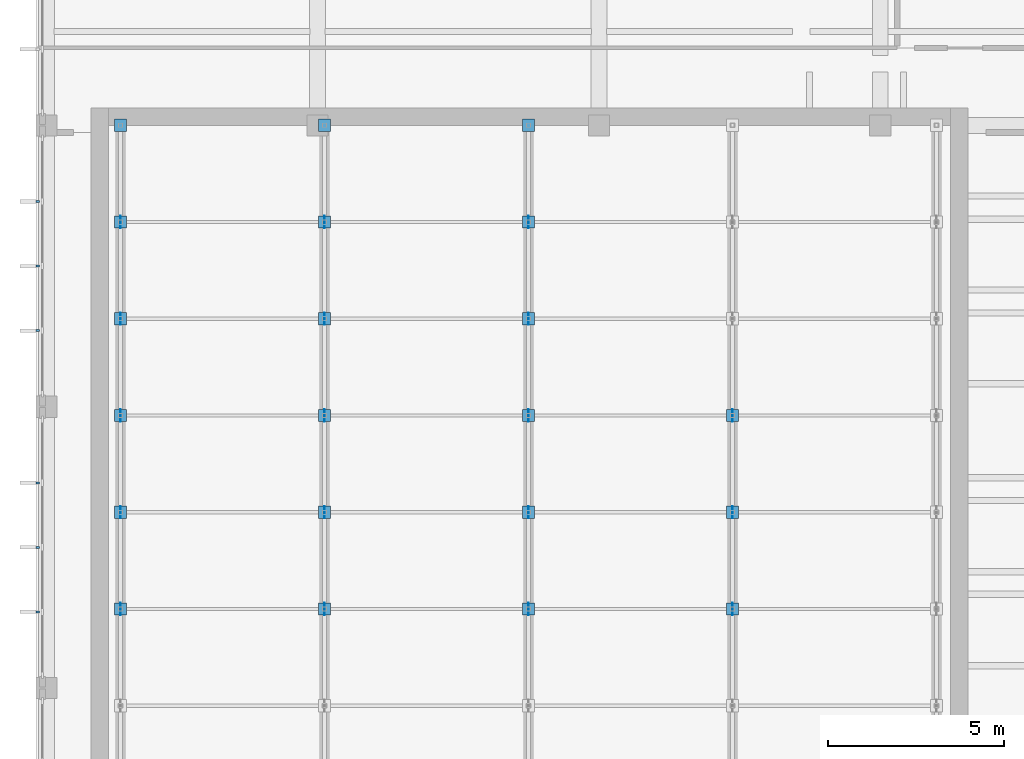
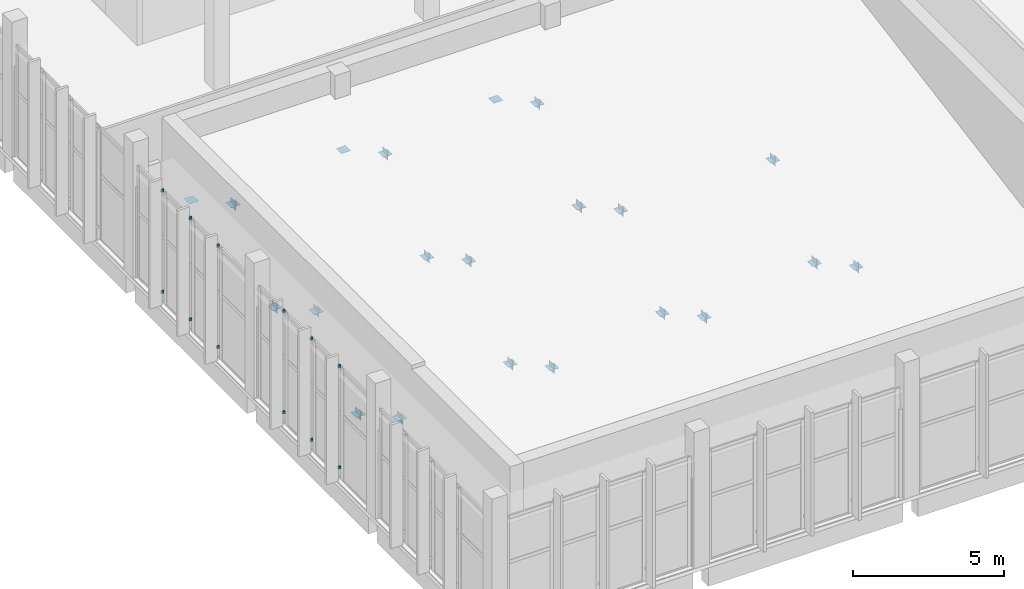
# One storey, part 88 of 132: 51 discrete accessories.
"""IFC4 building model written with IfcOpenShell, lengths in metres."""

from ifc_helpers import new_model, si_unit, direction, frame, origin, origin_2d, place, context, subcontext, project, spatial, rectangle, extrude, material, layer, layer_set, type_object, element, save


model = new_model("IFC4")

# Units and contexts
model_context = context("Model", 3, precision=1e-05, world=origin(), true_north=direction((0.0, 1.0)))
body_context = subcontext(model_context, "Body", "Model", "MODEL_VIEW")
ifc_project = project(units=[si_unit("LENGTHUNIT", "METRE"), si_unit("AREAUNIT", "SQUARE_METRE"), si_unit("VOLUMEUNIT", "CUBIC_METRE"), si_unit("PLANEANGLEUNIT", "RADIAN"), si_unit("MASSUNIT", "GRAM", prefix="KILO")], contexts=[model_context])

# Site, building, storey
site_placement = place(None, origin())
site = spatial("IfcSite", under=ifc_project, at=site_placement, CompositionType="ELEMENT")
building_placement = place(site_placement, origin())
building = spatial("IfcBuilding", under=site, at=building_placement, Name="Lunette Opera House", CompositionType="ELEMENT")
storey_placement = place(building_placement, frame((0.0, 0.0, 17.0)))
storey = spatial("IfcBuildingStorey", under=building, at=storey_placement, Name="L03", CompositionType="ELEMENT", Elevation=17.0)

# Discrete accessories
ifc_material_1 = material(Name="Steel S355", Category="steel")
ifc_layer = layer(ifc_material_1, 0.011962890625)
ifc_layer_set = layer_set([ifc_layer], Name="Steel S355")
discrete_accessory_type_1 = type_object("IfcDiscreteAccessoryType", Name="BRACE GUSSET PLATE 12", PredefinedType="USERDEFINED", material=ifc_layer_set)
discrete_accessory_1_placement = place(storey_placement, frame((10.39990234375, 74.25, 1.574951171875), z_axis=(0.0, 0.0, 1.0), x_axis=(0.0, 1.0, 0.0)))
element("IfcDiscreteAccessory", 1, at=discrete_accessory_1_placement, inside=storey, type_object=discrete_accessory_type_1, Name="Gusset plate 192", ObjectType="GUSSET PLATE", PredefinedType="USERDEFINED", context=body_context, shape_type="SweptSolid", body=[
    extrude(rectangle(XDim=0.35009765625, YDim=0.011962890625, at=origin_2d()), origin(), (0.0, 0.0, 1.0), 0.35009765625),
])
for number, where, z_axis, x_axis, name in (
    (2, (10.39990234375, 74.25, 1.744140625), (0.0, 0.0, 1.0), (0.0, 1.0, 0.0), "Gusset plate 193"),
    (3, (10.39990234375, 77.0, 0.22900390625), (0.0, 0.0, 1.0), (0.0, 1.0, 0.0), "Gusset plate 194"),
):
    element("IfcDiscreteAccessory", number, at=place(storey_placement, frame(where, z_axis=z_axis, x_axis=x_axis)), inside=storey, type_object=discrete_accessory_type_1, Name=name, ObjectType="GUSSET PLATE", PredefinedType="USERDEFINED", context=body_context, shape_type="SweptSolid", body=[
        extrude(rectangle(XDim=0.35009765625, YDim=0.35009765625, at=origin_2d()), origin(), (0.0, 0.0, 1.0), 0.011962890625),
    ])
for number, where, z_axis, x_axis, name in (
    (4, (10.39990234375, 77.0, 0.06005859375), (0.0, 0.0, 1.0), (0.0, 1.0, 0.0), "Gusset plate 195"),
    (5, (10.39990234375, 79.75, 2.5439453125), (0.0, 0.0, 1.0), (0.0, 1.0, 0.0), "Gusset plate 196"),
):
    element("IfcDiscreteAccessory", number, at=place(storey_placement, frame(where, z_axis=z_axis, x_axis=x_axis)), inside=storey, type_object=discrete_accessory_type_1, Name=name, ObjectType="GUSSET PLATE", PredefinedType="USERDEFINED", context=body_context, shape_type="SweptSolid", body=[
        extrude(rectangle(XDim=0.35009765625, YDim=0.011962890625, at=origin_2d()), origin(), (0.0, 0.0, 1.0), 0.35009765625),
    ])
for number, where, z_axis, x_axis, name in (
    (6, (10.39990234375, 79.75, 2.712890625), (0.0, 0.0, 1.0), (0.0, 1.0, 0.0), "Gusset plate 197"),
    (7, (10.39990234375, 82.5, 1.1982421875), (0.0, 0.0, 1.0), (0.0, 1.0, 0.0), "Gusset plate 198"),
):
    element("IfcDiscreteAccessory", number, at=place(storey_placement, frame(where, z_axis=z_axis, x_axis=x_axis)), inside=storey, type_object=discrete_accessory_type_1, Name=name, ObjectType="GUSSET PLATE", PredefinedType="USERDEFINED", context=body_context, shape_type="SweptSolid", body=[
        extrude(rectangle(XDim=0.35009765625, YDim=0.35009765625, at=origin_2d()), origin(), (0.0, 0.0, 1.0), 0.011962890625),
    ])
for number, where, z_axis, x_axis, name in (
    (8, (10.39990234375, 82.5, 1.029052734375), (0.0, 0.0, 1.0), (0.0, 1.0, 0.0), "Gusset plate 199"),
    (9, (10.39990234375, 85.25, 3.513916015625), (0.0, 0.0, 1.0), (0.0, 1.0, 0.0), "Gusset plate 200"),
):
    element("IfcDiscreteAccessory", number, at=place(storey_placement, frame(where, z_axis=z_axis, x_axis=x_axis)), inside=storey, type_object=discrete_accessory_type_1, Name=name, ObjectType="GUSSET PLATE", PredefinedType="USERDEFINED", context=body_context, shape_type="SweptSolid", body=[
        extrude(rectangle(XDim=0.35009765625, YDim=0.011962890625, at=origin_2d()), origin(), (0.0, 0.0, 1.0), 0.35009765625),
    ])
for number, where, z_axis, x_axis, name in (
    (10, (10.39990234375, 85.25, 3.68310546875), (0.0, 0.0, 1.0), (0.0, 1.0, 0.0), "Gusset plate 201"),
    (11, (10.39990234375, 88.0, 2.16796875), (0.0, 0.0, 1.0), (0.0, 1.0, 0.0), "Gusset plate 202"),
):
    element("IfcDiscreteAccessory", number, at=place(storey_placement, frame(where, z_axis=z_axis, x_axis=x_axis)), inside=storey, type_object=discrete_accessory_type_1, Name=name, ObjectType="GUSSET PLATE", PredefinedType="USERDEFINED", context=body_context, shape_type="SweptSolid", body=[
        extrude(rectangle(XDim=0.35009765625, YDim=0.35009765625, at=origin_2d()), origin(), (0.0, 0.0, 1.0), 0.011962890625),
    ])
discrete_accessory_2_placement = place(storey_placement, frame((16.199951171875, 74.25, 1.574951171875), z_axis=(0.0, 0.0, 1.0), x_axis=(0.0, 1.0, 0.0)))
element("IfcDiscreteAccessory", 12, at=discrete_accessory_2_placement, inside=storey, type_object=discrete_accessory_type_1, Name="Gusset plate 208", ObjectType="GUSSET PLATE", PredefinedType="USERDEFINED", context=body_context, shape_type="SweptSolid", body=[
    extrude(rectangle(XDim=0.35009765625, YDim=0.011962890625, at=origin_2d()), origin(), (0.0, 0.0, 1.0), 0.35009765625),
])
for number, where, z_axis, x_axis, name in (
    (13, (16.199951171875, 74.25, 1.744140625), (0.0, 0.0, 1.0), (0.0, 1.0, 0.0), "Gusset plate 209"),
    (14, (16.199951171875, 77.0, 0.22900390625), (0.0, 0.0, 1.0), (0.0, 1.0, 0.0), "Gusset plate 210"),
):
    element("IfcDiscreteAccessory", number, at=place(storey_placement, frame(where, z_axis=z_axis, x_axis=x_axis)), inside=storey, type_object=discrete_accessory_type_1, Name=name, ObjectType="GUSSET PLATE", PredefinedType="USERDEFINED", context=body_context, shape_type="SweptSolid", body=[
        extrude(rectangle(XDim=0.35009765625, YDim=0.35009765625, at=origin_2d()), origin(), (0.0, 0.0, 1.0), 0.011962890625),
    ])
for number, where, z_axis, x_axis, name in (
    (15, (16.199951171875, 77.0, 0.06005859375), (0.0, 0.0, 1.0), (0.0, 1.0, 0.0), "Gusset plate 211"),
    (16, (16.199951171875, 79.75, 2.5439453125), (0.0, 0.0, 1.0), (0.0, 1.0, 0.0), "Gusset plate 212"),
):
    element("IfcDiscreteAccessory", number, at=place(storey_placement, frame(where, z_axis=z_axis, x_axis=x_axis)), inside=storey, type_object=discrete_accessory_type_1, Name=name, ObjectType="GUSSET PLATE", PredefinedType="USERDEFINED", context=body_context, shape_type="SweptSolid", body=[
        extrude(rectangle(XDim=0.35009765625, YDim=0.011962890625, at=origin_2d()), origin(), (0.0, 0.0, 1.0), 0.35009765625),
    ])
for number, where, z_axis, x_axis, name in (
    (17, (16.199951171875, 79.75, 2.712890625), (0.0, 0.0, 1.0), (0.0, 1.0, 0.0), "Gusset plate 213"),
    (18, (16.199951171875, 82.5, 1.1982421875), (0.0, 0.0, 1.0), (0.0, 1.0, 0.0), "Gusset plate 214"),
):
    element("IfcDiscreteAccessory", number, at=place(storey_placement, frame(where, z_axis=z_axis, x_axis=x_axis)), inside=storey, type_object=discrete_accessory_type_1, Name=name, ObjectType="GUSSET PLATE", PredefinedType="USERDEFINED", context=body_context, shape_type="SweptSolid", body=[
        extrude(rectangle(XDim=0.35009765625, YDim=0.35009765625, at=origin_2d()), origin(), (0.0, 0.0, 1.0), 0.011962890625),
    ])
for number, where, z_axis, x_axis, name in (
    (19, (16.199951171875, 82.5, 1.029052734375), (0.0, 0.0, 1.0), (0.0, 1.0, 0.0), "Gusset plate 215"),
    (20, (16.199951171875, 85.25, 3.513916015625), (0.0, 0.0, 1.0), (0.0, 1.0, 0.0), "Gusset plate 216"),
):
    element("IfcDiscreteAccessory", number, at=place(storey_placement, frame(where, z_axis=z_axis, x_axis=x_axis)), inside=storey, type_object=discrete_accessory_type_1, Name=name, ObjectType="GUSSET PLATE", PredefinedType="USERDEFINED", context=body_context, shape_type="SweptSolid", body=[
        extrude(rectangle(XDim=0.35009765625, YDim=0.011962890625, at=origin_2d()), origin(), (0.0, 0.0, 1.0), 0.35009765625),
    ])
for number, where, z_axis, x_axis, name in (
    (21, (16.199951171875, 85.25, 3.68310546875), (0.0, 0.0, 1.0), (0.0, 1.0, 0.0), "Gusset plate 217"),
    (22, (16.199951171875, 88.0, 2.16796875), (0.0, 0.0, 1.0), (0.0, 1.0, 0.0), "Gusset plate 218"),
):
    element("IfcDiscreteAccessory", number, at=place(storey_placement, frame(where, z_axis=z_axis, x_axis=x_axis)), inside=storey, type_object=discrete_accessory_type_1, Name=name, ObjectType="GUSSET PLATE", PredefinedType="USERDEFINED", context=body_context, shape_type="SweptSolid", body=[
        extrude(rectangle(XDim=0.35009765625, YDim=0.35009765625, at=origin_2d()), origin(), (0.0, 0.0, 1.0), 0.011962890625),
    ])
discrete_accessory_3_placement = place(storey_placement, frame((22.0, 74.25, 1.574951171875), z_axis=(0.0, 0.0, 1.0), x_axis=(0.0, 1.0, 0.0)))
element("IfcDiscreteAccessory", 23, at=discrete_accessory_3_placement, inside=storey, type_object=discrete_accessory_type_1, Name="Gusset plate 224", ObjectType="GUSSET PLATE", PredefinedType="USERDEFINED", context=body_context, shape_type="SweptSolid", body=[
    extrude(rectangle(XDim=0.35009765625, YDim=0.011962890625, at=origin_2d()), origin(), (0.0, 0.0, 1.0), 0.35009765625),
])
for number, where, z_axis, x_axis, name in (
    (24, (22.0, 74.25, 1.744140625), (0.0, 0.0, 1.0), (0.0, 1.0, 0.0), "Gusset plate 225"),
    (25, (22.0, 77.0, 0.22900390625), (0.0, 0.0, 1.0), (0.0, 1.0, 0.0), "Gusset plate 226"),
):
    element("IfcDiscreteAccessory", number, at=place(storey_placement, frame(where, z_axis=z_axis, x_axis=x_axis)), inside=storey, type_object=discrete_accessory_type_1, Name=name, ObjectType="GUSSET PLATE", PredefinedType="USERDEFINED", context=body_context, shape_type="SweptSolid", body=[
        extrude(rectangle(XDim=0.35009765625, YDim=0.35009765625, at=origin_2d()), origin(), (0.0, 0.0, 1.0), 0.011962890625),
    ])
for number, where, z_axis, x_axis, name in (
    (26, (22.0, 77.0, 0.06005859375), (0.0, 0.0, 1.0), (0.0, 1.0, 0.0), "Gusset plate 227"),
    (27, (22.0, 79.75, 2.5439453125), (0.0, 0.0, 1.0), (0.0, 1.0, 0.0), "Gusset plate 228"),
):
    element("IfcDiscreteAccessory", number, at=place(storey_placement, frame(where, z_axis=z_axis, x_axis=x_axis)), inside=storey, type_object=discrete_accessory_type_1, Name=name, ObjectType="GUSSET PLATE", PredefinedType="USERDEFINED", context=body_context, shape_type="SweptSolid", body=[
        extrude(rectangle(XDim=0.35009765625, YDim=0.011962890625, at=origin_2d()), origin(), (0.0, 0.0, 1.0), 0.35009765625),
    ])
for number, where, z_axis, x_axis, name in (
    (28, (22.0, 79.75, 2.712890625), (0.0, 0.0, 1.0), (0.0, 1.0, 0.0), "Gusset plate 229"),
    (29, (22.0, 82.5, 1.1982421875), (0.0, 0.0, 1.0), (0.0, 1.0, 0.0), "Gusset plate 230"),
):
    element("IfcDiscreteAccessory", number, at=place(storey_placement, frame(where, z_axis=z_axis, x_axis=x_axis)), inside=storey, type_object=discrete_accessory_type_1, Name=name, ObjectType="GUSSET PLATE", PredefinedType="USERDEFINED", context=body_context, shape_type="SweptSolid", body=[
        extrude(rectangle(XDim=0.35009765625, YDim=0.35009765625, at=origin_2d()), origin(), (0.0, 0.0, 1.0), 0.011962890625),
    ])
for number, where, z_axis, x_axis, name in (
    (30, (22.0, 82.5, 1.029052734375), (0.0, 0.0, 1.0), (0.0, 1.0, 0.0), "Gusset plate 231"),
    (31, (22.0, 85.25, 3.513916015625), (0.0, 0.0, 1.0), (0.0, 1.0, 0.0), "Gusset plate 232"),
):
    element("IfcDiscreteAccessory", number, at=place(storey_placement, frame(where, z_axis=z_axis, x_axis=x_axis)), inside=storey, type_object=discrete_accessory_type_1, Name=name, ObjectType="GUSSET PLATE", PredefinedType="USERDEFINED", context=body_context, shape_type="SweptSolid", body=[
        extrude(rectangle(XDim=0.35009765625, YDim=0.011962890625, at=origin_2d()), origin(), (0.0, 0.0, 1.0), 0.35009765625),
    ])
for number, where, z_axis, x_axis, name in (
    (32, (22.0, 85.25, 3.68310546875), (0.0, 0.0, 1.0), (0.0, 1.0, 0.0), "Gusset plate 233"),
    (33, (22.0, 88.0, 2.16796875), (0.0, 0.0, 1.0), (0.0, 1.0, 0.0), "Gusset plate 234"),
):
    element("IfcDiscreteAccessory", number, at=place(storey_placement, frame(where, z_axis=z_axis, x_axis=x_axis)), inside=storey, type_object=discrete_accessory_type_1, Name=name, ObjectType="GUSSET PLATE", PredefinedType="USERDEFINED", context=body_context, shape_type="SweptSolid", body=[
        extrude(rectangle(XDim=0.35009765625, YDim=0.35009765625, at=origin_2d()), origin(), (0.0, 0.0, 1.0), 0.011962890625),
    ])
discrete_accessory_4_placement = place(storey_placement, frame((27.800048828125, 74.25, 1.574951171875), z_axis=(0.0, 0.0, 1.0), x_axis=(0.0, 1.0, 0.0)))
element("IfcDiscreteAccessory", 34, at=discrete_accessory_4_placement, inside=storey, type_object=discrete_accessory_type_1, Name="Gusset plate 240", ObjectType="GUSSET PLATE", PredefinedType="USERDEFINED", context=body_context, shape_type="SweptSolid", body=[
    extrude(rectangle(XDim=0.35009765625, YDim=0.011962890625, at=origin_2d()), origin(), (0.0, 0.0, 1.0), 0.35009765625),
])
for number, where, z_axis, x_axis, name in (
    (35, (27.800048828125, 74.25, 1.744140625), (0.0, 0.0, 1.0), (0.0, 1.0, 0.0), "Gusset plate 241"),
    (36, (27.800048828125, 77.0, 0.22900390625), (0.0, 0.0, 1.0), (0.0, 1.0, 0.0), "Gusset plate 242"),
):
    element("IfcDiscreteAccessory", number, at=place(storey_placement, frame(where, z_axis=z_axis, x_axis=x_axis)), inside=storey, type_object=discrete_accessory_type_1, Name=name, ObjectType="GUSSET PLATE", PredefinedType="USERDEFINED", context=body_context, shape_type="SweptSolid", body=[
        extrude(rectangle(XDim=0.35009765625, YDim=0.35009765625, at=origin_2d()), origin(), (0.0, 0.0, 1.0), 0.011962890625),
    ])
for number, where, z_axis, x_axis, name in (
    (37, (27.800048828125, 77.0, 0.06005859375), (0.0, 0.0, 1.0), (0.0, 1.0, 0.0), "Gusset plate 243"),
    (38, (27.800048828125, 79.75, 2.5439453125), (0.0, 0.0, 1.0), (0.0, 1.0, 0.0), "Gusset plate 244"),
):
    element("IfcDiscreteAccessory", number, at=place(storey_placement, frame(where, z_axis=z_axis, x_axis=x_axis)), inside=storey, type_object=discrete_accessory_type_1, Name=name, ObjectType="GUSSET PLATE", PredefinedType="USERDEFINED", context=body_context, shape_type="SweptSolid", body=[
        extrude(rectangle(XDim=0.35009765625, YDim=0.011962890625, at=origin_2d()), origin(), (0.0, 0.0, 1.0), 0.35009765625),
    ])
discrete_accessory_5_placement = place(storey_placement, frame((27.800048828125, 79.75, 2.712890625), z_axis=(0.0, 0.0, 1.0), x_axis=(0.0, 1.0, 0.0)))
element("IfcDiscreteAccessory", 39, at=discrete_accessory_5_placement, inside=storey, type_object=discrete_accessory_type_1, Name="Gusset plate 245", ObjectType="GUSSET PLATE", PredefinedType="USERDEFINED", context=body_context, shape_type="SweptSolid", body=[
    extrude(rectangle(XDim=0.35009765625, YDim=0.35009765625, at=origin_2d()), origin(), (0.0, 0.0, 1.0), 0.011962890625),
])
ifc_material_2 = material(Name="Galvanised steel", Category="steel")
discrete_accessory_type_2 = type_object("IfcDiscreteAccessoryType", Name="FIN BRACKET STEEL", PredefinedType="BRACKET", material=ifc_material_2)
for number, where, z_axis, x_axis, name in (
    (40, (8.0419921875, 85.8349609375, 0.56494140625), (0.0, 0.0, 1.0), (-1.0, 0.0, 0.0), "Fin bracket RW-X2046 1 1"),
    (41, (8.0419921875, 85.8349609375, 4.64990234375), (0.0, 0.0, 1.0), (-1.0, 0.0, 0.0), "Fin bracket RW-X2046 1 2"),
    (42, (8.0419921875, 84.0, 0.56494140625), (0.0, 0.0, 1.0), (-1.0, 0.0, 0.0), "Fin bracket RW-X2046 2 1"),
    (43, (8.0419921875, 84.0, 4.64990234375), (0.0, 0.0, 1.0), (-1.0, 0.0, 0.0), "Fin bracket RW-X2046 2 2"),
    (44, (8.0419921875, 82.1650390625, 0.56494140625), (0.0, 0.0, 1.0), (-1.0, 0.0, 0.0), "Fin bracket RW-X2046 3 1"),
    (45, (8.0419921875, 82.1650390625, 4.64990234375), (0.0, 0.0, 1.0), (-1.0, 0.0, 0.0), "Fin bracket RW-X2046 3 2"),
    (46, (8.0419921875, 77.8349609375, 0.56494140625), (0.0, 0.0, 1.0), (-1.0, 0.0, 0.0), "Fin bracket RW-X2047 1 1"),
    (47, (8.0419921875, 77.8349609375, 4.64990234375), (0.0, 0.0, 1.0), (-1.0, 0.0, 0.0), "Fin bracket RW-X2047 1 2"),
    (48, (8.0419921875, 76.0, 0.56494140625), (0.0, 0.0, 1.0), (-1.0, 0.0, 0.0), "Fin bracket RW-X2047 2 1"),
    (49, (8.0419921875, 76.0, 4.64990234375), (0.0, 0.0, 1.0), (-1.0, 0.0, 0.0), "Fin bracket RW-X2047 2 2"),
    (50, (8.0419921875, 74.1650390625, 0.56494140625), (0.0, 0.0, 1.0), (-1.0, 0.0, 0.0), "Fin bracket RW-X2047 3 1"),
    (51, (8.0419921875, 74.1650390625, 4.64990234375), (0.0, 0.0, 1.0), (-1.0, 0.0, 0.0), "Fin bracket RW-X2047 3 2"),
):
    element("IfcDiscreteAccessory", number, at=place(storey_placement, frame(where, z_axis=z_axis, x_axis=x_axis)), inside=storey, type_object=discrete_accessory_type_2, Name=name, PredefinedType="BRACKET", context=body_context, shape_type="SweptSolid", body=[
        extrude(rectangle(XDim=0.10009765625, YDim=0.06005859375, at=origin_2d()), origin(), (0.0, 0.0, 1.0), 0.10009765625),
    ])

save(model, "model.ifc")
